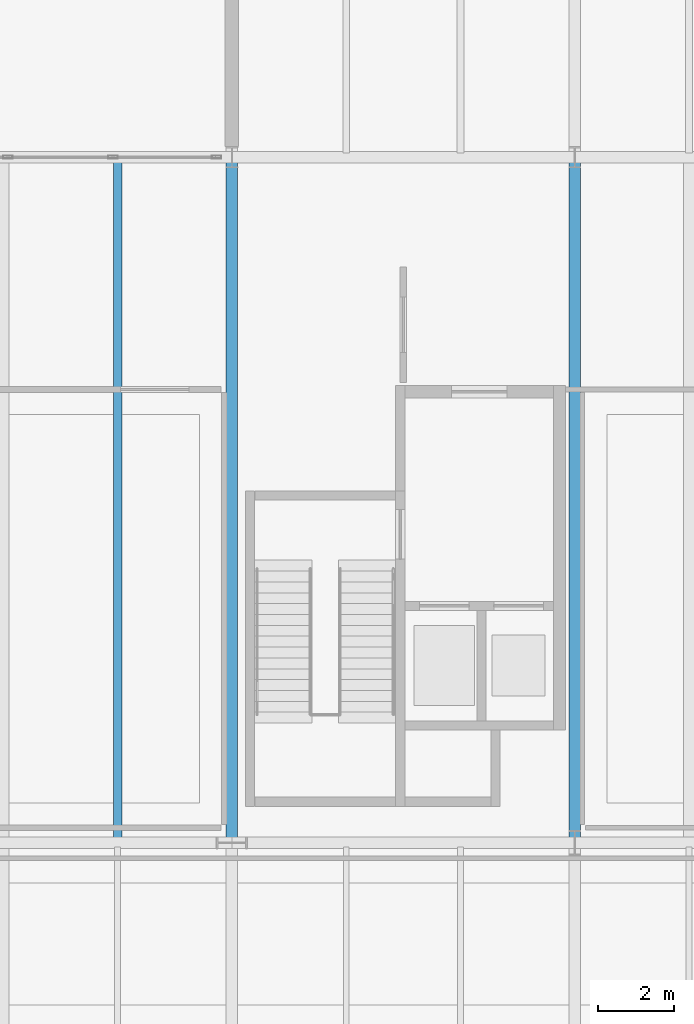
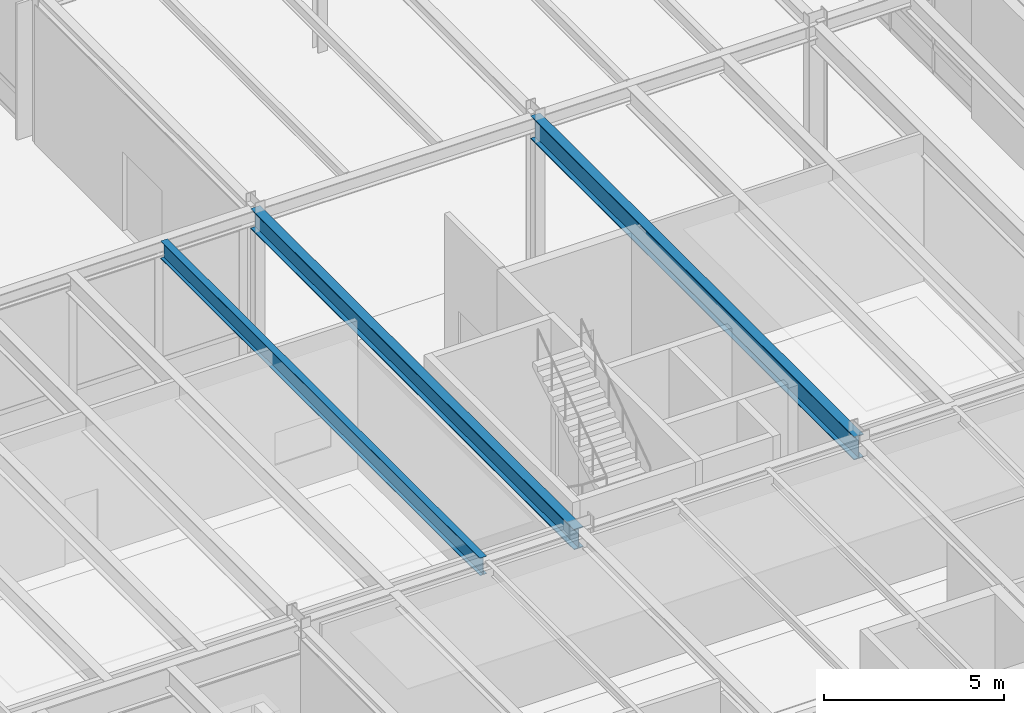
# One storey, part 26 of 143: 3 beams.
"""IFC4 building model written with IfcOpenShell, lengths in metres."""

from ifc_helpers import new_model, si_unit, direction, frame, origin, origin_2d, place, context, subcontext, project, spatial, i_section, extrude, material, material_profile, profile_set, type_object, element, save


model = new_model("IFC4")

# Units and contexts
model_context = context("Model", 3, precision=1e-05, world=origin(), true_north=direction((0.0, 1.0)))
body_context = subcontext(model_context, "Body", "Model", "MODEL_VIEW")
ifc_project = project(units=[si_unit("LENGTHUNIT", "METRE"), si_unit("AREAUNIT", "SQUARE_METRE"), si_unit("VOLUMEUNIT", "CUBIC_METRE"), si_unit("PLANEANGLEUNIT", "RADIAN"), si_unit("MASSUNIT", "GRAM", prefix="KILO")], contexts=[model_context])

# Site, building, storey
site_placement = place(None, origin())
site = spatial("IfcSite", under=ifc_project, at=site_placement, CompositionType="ELEMENT")
building_placement = place(site_placement, origin())
building = spatial("IfcBuilding", under=site, at=building_placement, Name="Montelvaro Courts of Justice", CompositionType="ELEMENT")
storey_placement = place(building_placement, origin())
storey = spatial("IfcBuildingStorey", under=building, at=storey_placement, Name="L00", CompositionType="ELEMENT", Elevation=0.0)

# Beams
ifc_material = material(Name="Steel S355", Category="steel")
ifc_material_profile_1 = material_profile(ifc_material, i_section(OverallWidth=0.300048828125, OverallDepth=0.68994140625, WebThickness=0.014404296875, FlangeThickness=0.027099609375, at=origin_2d()), Name="HEA 700")
ifc_profile_set_1 = profile_set([ifc_material_profile_1], Name="Steel S355")
beam_type_1 = type_object("IfcBeamType", Name="Beam_HEA700", PredefinedType="USERDEFINED", material=ifc_profile_set_1)
beam_1_placement = place(storey_placement, frame((54.0, 24.0, 4.715087890625), z_axis=(0.0, 1.0, 0.0), x_axis=(-1.0, 0.0, 0.0)))
element("IfcBeam", 1, at=beam_1_placement, inside=storey, type_object=beam_type_1, Name="Beam B-23 L00", ObjectType="GIRDER", PredefinedType="USERDEFINED", context=body_context, shape_type="SweptSolid", body=[
    extrude(i_section(OverallWidth=0.300048828125, OverallDepth=0.68994140625, WebThickness=0.014404296875, FlangeThickness=0.027099609375, at=origin_2d()), origin(), (0.0, 0.0, 1.0), 18.0),
])
ifc_material_profile_2 = material_profile(ifc_material, i_section(OverallWidth=0.300048828125, OverallDepth=0.7900390625, WebThickness=0.014892578125, FlangeThickness=0.028076171875, at=origin_2d()), Name="HEA 800")
ifc_profile_set_2 = profile_set([ifc_material_profile_2], Name="Steel S355")
beam_type_2 = type_object("IfcBeamType", Name="Beam_HEA800", PredefinedType="USERDEFINED", material=ifc_profile_set_2)
beam_2_placement = place(storey_placement, frame((63.0, 24.0, 4.6650390625), z_axis=(0.0, 1.0, 0.0), x_axis=(-1.0, 0.0, 0.0)))
element("IfcBeam", 2, at=beam_2_placement, inside=storey, type_object=beam_type_2, Name="Beam B-24 L00", ObjectType="GIRDER", PredefinedType="USERDEFINED", context=body_context, shape_type="SweptSolid", body=[
    extrude(i_section(OverallWidth=0.300048828125, OverallDepth=0.7900390625, WebThickness=0.014892578125, FlangeThickness=0.028076171875, at=origin_2d()), origin(), (0.0, 0.0, 1.0), 18.0),
])
ifc_material_profile_3 = material_profile(ifc_material, i_section(OverallWidth=0.219970703125, OverallDepth=0.60009765625, WebThickness=0.011962890625, FlangeThickness=0.01904296875, at=origin_2d()), Name="IPE 600")
ifc_profile_set_3 = profile_set([ifc_material_profile_3], Name="Steel S355")
beam_type_3 = type_object("IfcBeamType", Name="Beam_IPE600", PredefinedType="USERDEFINED", material=ifc_profile_set_3)
beam_3_placement = place(storey_placement, frame((51.0, 24.110107421875, 4.760009765625), z_axis=(0.0, 1.0, 0.0), x_axis=(-1.0, 0.0, 0.0)))
element("IfcBeam", 3, at=beam_3_placement, inside=storey, type_object=beam_type_3, Name="Beam B-12 L00", ObjectType="GIRDER", PredefinedType="USERDEFINED", context=body_context, shape_type="SweptSolid", body=[
    extrude(i_section(OverallWidth=0.219970703125, OverallDepth=0.60009765625, WebThickness=0.011962890625, FlangeThickness=0.01904296875, at=origin_2d()), origin(), (0.0, 0.0, 1.0), 17.77978515625),
])

save(model, "model.ifc")
